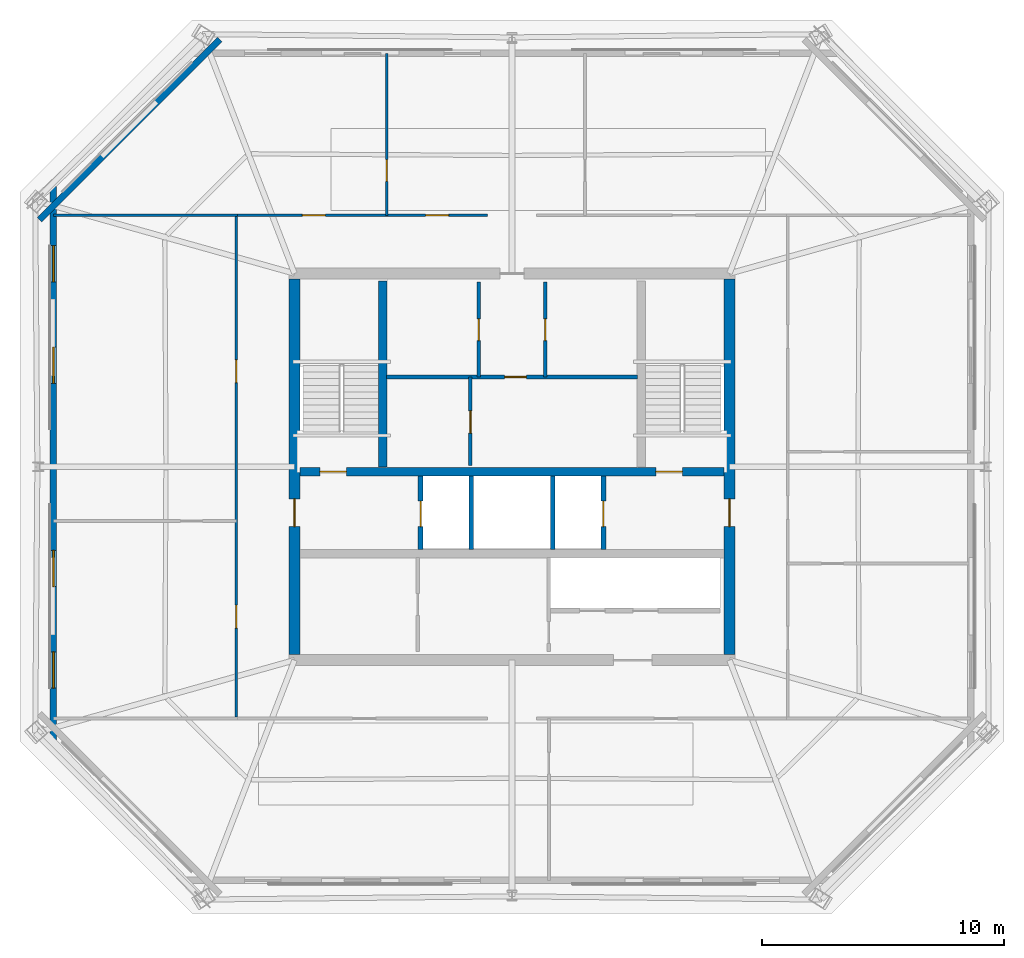
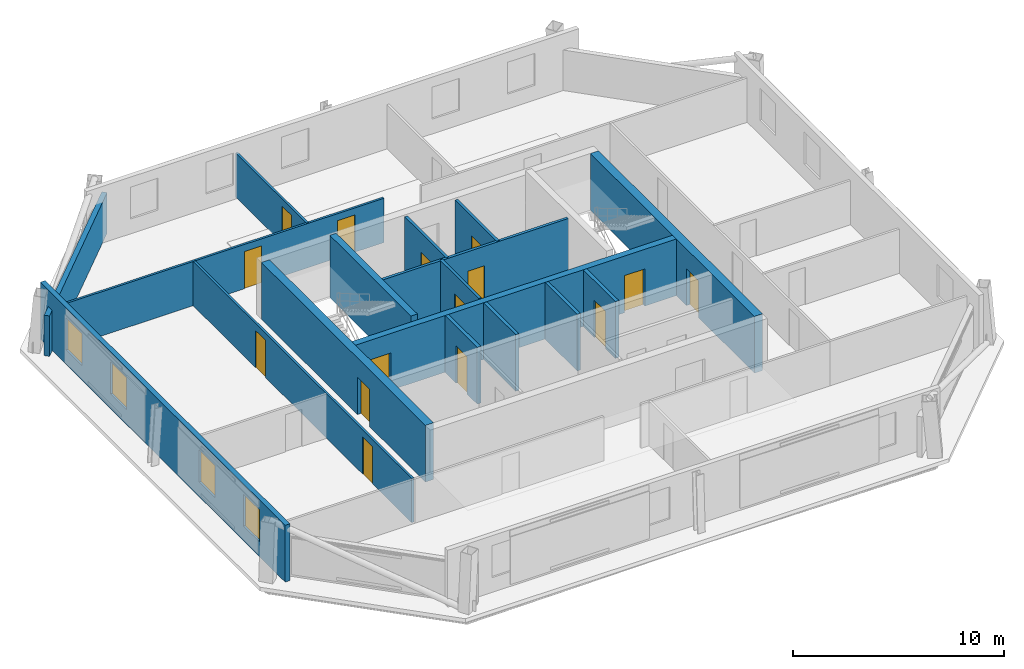
# One storey, part 3 of 7: 18 walls, 15 doors, 4 windows, 19 openings.
"""IFC4 building model written with IfcOpenShell, lengths in metres."""

from ifc_helpers import new_model, si_unit, direction, frame, frame_2d, origin, place, context, subcontext, project, spatial, rectangle, extrude, material, layer, layer_set, type_object, element, fill, save


model = new_model("IFC4")

# Units and contexts
model_context = context("Model", 3, precision=1e-05, world=origin(), true_north=direction((0.0, 1.0)))
body_context = subcontext(model_context, "Body", "Model", "MODEL_VIEW")
ifc_project = project(units=[si_unit("LENGTHUNIT", "METRE"), si_unit("AREAUNIT", "SQUARE_METRE"), si_unit("VOLUMEUNIT", "CUBIC_METRE"), si_unit("PLANEANGLEUNIT", "RADIAN"), si_unit("MASSUNIT", "GRAM", prefix="KILO")], contexts=[model_context])

# Site, building, storey
site_placement = place(None, origin())
site = spatial("IfcSite", under=ifc_project, at=site_placement, CompositionType="ELEMENT")
building_placement = place(site_placement, origin())
building = spatial("IfcBuilding", under=site, at=building_placement, Name="Caelvoria Tower", CompositionType="ELEMENT")
storey_placement = place(building_placement, frame((0.0, 0.0, 231.0)))
storey = spatial("IfcBuildingStorey", under=building, at=storey_placement, Name="L61", CompositionType="ELEMENT", Elevation=231.0)

# Wall, openings, doors
ifc_material_1 = material(Name="Concrete C50/60", Category="concrete")
ifc_layer_1 = layer(ifc_material_1, 0.35009765625, Name="Concrete C50/60")
ifc_layer_set_1 = layer_set([ifc_layer_1], Name="Core Internal Shear Wall 350 - Concrete C50/60")
wall_type_1 = type_object("IfcWallType", Name="Core Internal Shear Wall 350", PredefinedType="SHEAR", material=ifc_layer_set_1)
wall_1_placement = place(storey_placement, frame((37.22509765625, 31.800048828125, 0.0), z_axis=(0.0, 0.0, 1.0), x_axis=(1.0, 0.0, 0.0)))
wall_1 = element("IfcWall", 1, at=wall_1_placement, inside=storey, type_object=wall_type_1, Name="Core Shear Wall L61 M1", PredefinedType="SHEAR", context=body_context, shape_type="SweptSolid", body=[
    extrude(rectangle(XDim=17.5498046875, YDim=0.35009765625, at=frame_2d((8.77490234375, 0.0))), origin(), (0.0, 0.0, 1.0), 3.280029296875),
])
opening_1_placement = place(wall_1_placement, frame((0.824951171875, 0.0, 0.0)))
opening_1 = element("IfcOpeningElement", 2, at=opening_1_placement, cuts=wall_1, Name="Opening ID-01", PredefinedType="OPENING", context=body_context, shape_type="SweptSolid", body=[
    extrude(rectangle(XDim=1.10009765625, YDim=2.14990234375, at=frame_2d((0.550048828125, 1.074951171875))), frame((0.0, 0.18505859375, 0.0), z_axis=(0.0, -1.0, 0.0), x_axis=(1.0, 0.0, 0.0)), (0.0, 0.0, 1.0), 0.3701171875),
])
opening_2_placement = place(wall_1_placement, frame((14.72509765625, 0.0, 0.0)))
opening_2 = element("IfcOpeningElement", 3, at=opening_2_placement, cuts=wall_1, Name="Opening ID-01", PredefinedType="OPENING", context=body_context, shape_type="SweptSolid", body=[
    extrude(rectangle(XDim=1.10009765625, YDim=2.14990234375, at=frame_2d((0.550048828125, 1.074951171875))), frame((0.0, 0.18505859375, 0.0), z_axis=(0.0, -1.0, 0.0), x_axis=(1.0, 0.0, 0.0)), (0.0, 0.0, 1.0), 0.3701171875),
])
ifc_material_2 = material(Name="Painted Hollow Steel Fire Door", Category="steel")
door_type_1 = type_object("IfcDoorType", Name="Fire Door FD90S 1100x2150", OperationType="NOTDEFINED", PredefinedType="DOOR", material=ifc_material_2)
door_1_placement = place(opening_1_placement, origin())
door_1 = element("IfcDoor", 4, at=door_1_placement, inside=storey, type_object=door_type_1, Name="Core Door DR-L61-ST1", OperationType="SINGLE_SWING_LEFT", OverallHeight=2.14990234375, OverallWidth=1.10009765625, PredefinedType="DOOR", context=body_context, shape_type="SweptSolid", body=[
    extrude(rectangle(XDim=1.10009765625, YDim=2.14990234375, at=frame_2d((0.550048828125, 1.074951171875))), frame((0.0, 0.02490234375, 0.0), z_axis=(0.0, -1.0, 0.0), x_axis=(1.0, 0.0, 0.0)), (0.0, 0.0, 1.0), 0.050048828125),
])
fill(opening_1, door_1)
door_2_placement = place(opening_2_placement, origin())
door_2 = element("IfcDoor", 5, at=door_2_placement, inside=storey, type_object=door_type_1, Name="Core Door DR-L61-ST2", OperationType="SINGLE_SWING_RIGHT", OverallHeight=2.14990234375, OverallWidth=1.10009765625, PredefinedType="DOOR", context=body_context, shape_type="SweptSolid", body=[
    extrude(rectangle(XDim=1.10009765625, YDim=2.14990234375, at=frame_2d((0.550048828125, 1.074951171875))), frame((0.0, 0.02490234375, 0.0), z_axis=(0.0, -1.0, 0.0), x_axis=(1.0, 0.0, 0.0)), (0.0, 0.0, 1.0), 0.050048828125),
])
fill(opening_2, door_2)

# Wall
wall_2_placement = place(storey_placement, frame((40.64990234375, 32.0, 0.0), z_axis=(0.0, 0.0, 1.0), x_axis=(0.0, 1.0, 0.0)))
element("IfcWall", 6, at=wall_2_placement, inside=storey, type_object=wall_type_1, Name="Interior Partition IW-L61-ST1E", PredefinedType="SHEAR", context=body_context, shape_type="SweptSolid", body=[
    extrude(rectangle(XDim=7.699951171875, YDim=0.35009765625, at=frame_2d((3.85009765625, 0.0))), origin(), (0.0, 0.0, 1.0), 3.60009765625),
])

# Wall, opening, door
ifc_material_3 = material(Name="Double Gypsum Board on Steel Stud", Category="steel")
ifc_layer_2 = layer(ifc_material_3, 0.14990234375, Name="Double Gypsum Board on Steel Stud")
ifc_layer_set_2 = layer_set([ifc_layer_2], Name="Core Service Acoustic Partition Wall 150 - Double Gypsum Board on Steel Stud")
wall_type_2 = type_object("IfcWallType", Name="Core Service Acoustic Partition Wall 150", PredefinedType="PARTITIONING", material=ifc_layer_set_2)
wall_3_placement = place(storey_placement, frame((44.6201171875, 35.719970703125, 0.0), z_axis=(0.0, 0.0, 1.0), x_axis=(0.0, 1.0, 0.0)))
wall_3 = element("IfcWall", 7, at=wall_3_placement, inside=storey, type_object=wall_type_2, Name="Interior Partition IW-L61-C0L", PredefinedType="PARTITIONING", context=body_context, shape_type="SweptSolid", body=[
    extrude(rectangle(XDim=3.929931640625, YDim=0.14990234375, at=frame_2d((1.96484375, 0.0))), origin(), (0.0, 0.0, 1.0), 3.280029296875),
])
opening_3_placement = place(wall_3_placement, frame((1.5, 0.0, 0.0)))
opening_3 = element("IfcOpeningElement", 8, at=opening_3_placement, cuts=wall_3, Name="Opening ID-06", PredefinedType="OPENING", context=body_context, shape_type="SweptSolid", body=[
    extrude(rectangle(XDim=0.89990234375, YDim=2.14990234375, at=frame_2d((0.449951171875, 1.074951171875))), frame((0.0, 0.0849609375, 0.0), z_axis=(0.0, -1.0, 0.0), x_axis=(1.0, 0.0, 0.0)), (0.0, 0.0, 1.0), 0.169921875),
])
ifc_material_4 = material(Name="Engineered Andean Oak Veneer Door", Category="wood")
door_type_2 = type_object("IfcDoorType", Name="Interior Timber Door 900x2150", OperationType="NOTDEFINED", PredefinedType="DOOR", material=ifc_material_4)
door_3_placement = place(opening_3_placement, origin())
door_3 = element("IfcDoor", 9, at=door_3_placement, inside=storey, type_object=door_type_2, Name="Interior Door DR-L61-C01", OperationType="SINGLE_SWING_LEFT", OverallHeight=2.14990234375, OverallWidth=0.89990234375, PredefinedType="DOOR", context=body_context, shape_type="SweptSolid", body=[
    extrude(rectangle(XDim=0.89990234375, YDim=2.14990234375, at=frame_2d((0.449951171875, 1.074951171875))), frame((0.0, 0.02490234375, 0.0), z_axis=(0.0, -1.0, 0.0), x_axis=(1.0, 0.0, 0.0)), (0.0, 0.0, 1.0), 0.050048828125),
])
fill(opening_3, door_3)

wall_4_placement = place(storey_placement, frame((47.3798828125, 35.719970703125, 0.0), z_axis=(0.0, 0.0, 1.0), x_axis=(0.0, 1.0, 0.0)))
wall_4 = element("IfcWall", 10, at=wall_4_placement, inside=storey, type_object=wall_type_2, Name="Interior Partition IW-L61-C0R", PredefinedType="PARTITIONING", context=body_context, shape_type="SweptSolid", body=[
    extrude(rectangle(XDim=3.929931640625, YDim=0.14990234375, at=frame_2d((1.96484375, 0.0))), origin(), (0.0, 0.0, 1.0), 3.280029296875),
])
opening_4_placement = place(wall_4_placement, frame((1.5, 0.0, 0.0)))
opening_4 = element("IfcOpeningElement", 11, at=opening_4_placement, cuts=wall_4, Name="Opening ID-06", PredefinedType="OPENING", context=body_context, shape_type="SweptSolid", body=[
    extrude(rectangle(XDim=0.89990234375, YDim=2.14990234375, at=frame_2d((0.449951171875, 1.074951171875))), frame((0.0, 0.0849609375, 0.0), z_axis=(0.0, -1.0, 0.0), x_axis=(1.0, 0.0, 0.0)), (0.0, 0.0, 1.0), 0.169921875),
])
door_4_placement = place(opening_4_placement, origin())
door_4 = element("IfcDoor", 12, at=door_4_placement, inside=storey, type_object=door_type_2, Name="Interior Door DR-L61-C02", OperationType="SINGLE_SWING_RIGHT", OverallHeight=2.14990234375, OverallWidth=0.89990234375, PredefinedType="DOOR", context=body_context, shape_type="SweptSolid", body=[
    extrude(rectangle(XDim=0.89990234375, YDim=2.14990234375, at=frame_2d((0.449951171875, 1.074951171875))), frame((0.0, 0.02490234375, 0.0), z_axis=(0.0, -1.0, 0.0), x_axis=(1.0, 0.0, 0.0)), (0.0, 0.0, 1.0), 0.050048828125),
])
fill(opening_4, door_4)

wall_5_placement = place(storey_placement, frame((44.280029296875, 32.050048828125, 0.0), z_axis=(0.0, 0.0, 1.0), x_axis=(0.0, 1.0, 0.0)))
wall_5 = element("IfcWall", 13, at=wall_5_placement, inside=storey, type_object=wall_type_2, Name="Interior Partition IW-L61-C0M", PredefinedType="PARTITIONING", context=body_context, shape_type="SweptSolid", body=[
    extrude(rectangle(XDim=3.669921875, YDim=0.14990234375, at=frame_2d((1.8349609375, 0.0))), origin(), (0.0, 0.0, 1.0), 3.280029296875),
])
opening_5_placement = place(wall_5_placement, frame((1.35009765625, 0.0, 0.0)))
opening_5 = element("IfcOpeningElement", 14, at=opening_5_placement, cuts=wall_5, Name="Opening ID-07", PredefinedType="OPENING", context=body_context, shape_type="SweptSolid", body=[
    extrude(rectangle(XDim=0.919921875, YDim=2.14990234375, at=frame_2d((0.4599609375, 1.074951171875))), frame((0.0, 0.0849609375, 0.0), z_axis=(0.0, -1.0, 0.0), x_axis=(1.0, 0.0, 0.0)), (0.0, 0.0, 1.0), 0.169921875),
])
ifc_material_5 = material(Name="Engineered Andean Oak Accessible Door", Category="wood")
door_type_3 = type_object("IfcDoorType", Name="Accessible WC Door 950x2150", OperationType="NOTDEFINED", PredefinedType="DOOR", material=ifc_material_5)
door_5_placement = place(opening_5_placement, origin())
door_5 = element("IfcDoor", 15, at=door_5_placement, inside=storey, type_object=door_type_3, Name="Interior Door DR-L61-C05", OperationType="SINGLE_SWING_LEFT", OverallHeight=2.14990234375, OverallWidth=0.919921875, PredefinedType="DOOR", context=body_context, shape_type="SweptSolid", body=[
    extrude(rectangle(XDim=0.919921875, YDim=2.14990234375, at=frame_2d((0.4599609375, 1.074951171875))), frame((0.0, 0.02490234375, 0.0), z_axis=(0.0, -1.0, 0.0), x_axis=(1.0, 0.0, 0.0)), (0.0, 0.0, 1.0), 0.050048828125),
])
fill(opening_5, door_5)

wall_6_placement = place(storey_placement, frame((40.800048828125, 35.719970703125, 0.0), z_axis=(0.0, 0.0, 1.0), x_axis=(1.0, 0.0, 0.0)))
wall_6 = element("IfcWall", 16, at=wall_6_placement, inside=storey, type_object=wall_type_2, Name="Interior Partition IW-L61-C0H", PredefinedType="PARTITIONING", context=body_context, shape_type="SweptSolid", body=[
    extrude(rectangle(XDim=10.39990234375, YDim=0.14990234375, at=frame_2d((5.199951171875, 0.0))), origin(), (0.0, 0.0, 1.0), 3.280029296875),
])
opening_6_placement = place(wall_6_placement, frame((4.89990234375, 0.0, 0.0)))
opening_6 = element("IfcOpeningElement", 17, at=opening_6_placement, cuts=wall_6, Name="Opening ID-04", PredefinedType="OPENING", context=body_context, shape_type="SweptSolid", body=[
    extrude(rectangle(XDim=0.89990234375, YDim=2.14990234375, at=frame_2d((0.449951171875, 1.074951171875))), frame((0.0, 0.0849609375, 0.0), z_axis=(0.0, -1.0, 0.0), x_axis=(1.0, 0.0, 0.0)), (0.0, 0.0, 1.0), 0.169921875),
])
ifc_material_6 = material(Name="Acoustic Timber Fire Door", Category="wood")
door_type_4 = type_object("IfcDoorType", Name="Fire Door FD30S 900x2150", OperationType="NOTDEFINED", PredefinedType="DOOR", material=ifc_material_6)
door_6_placement = place(opening_6_placement, origin())
door_6 = element("IfcDoor", 18, at=door_6_placement, inside=storey, type_object=door_type_4, Name="Interior Door DR-L61-C04", OperationType="SINGLE_SWING_RIGHT", OverallHeight=2.14990234375, OverallWidth=0.89990234375, PredefinedType="DOOR", context=body_context, shape_type="SweptSolid", body=[
    extrude(rectangle(XDim=0.89990234375, YDim=2.14990234375, at=frame_2d((0.449951171875, 1.074951171875))), frame((0.0, 0.02490234375, 0.0), z_axis=(0.0, -1.0, 0.0), x_axis=(1.0, 0.0, 0.0)), (0.0, 0.0, 1.0), 0.050048828125),
])
fill(opening_6, door_6)

# Walls
ifc_material_7 = material(Name="Concrete Block and Fireboard Assembly", Category="concrete")
ifc_layer_3 = layer(ifc_material_7, 0.179931640625, Name="Concrete Block and Fireboard Assembly")
ifc_layer_set_3 = layer_set([ifc_layer_3], Name="Fire-Rated Hoistway Partition Wall 180 - Concrete Block and Fireboard Assembly")
wall_type_3 = type_object("IfcWallType", Name="Fire-Rated Hoistway Partition Wall 180", PredefinedType="PARTITIONING", material=ifc_layer_set_3)
for number, where, z_axis, x_axis, name in (
    (19, (44.320068359375, 28.580078125, 0.0), (0.0, 0.0, 1.0), (0.0, 1.0, 0.0), "Interior Partition IW-L61-SV1W"),
    (20, (47.679931640625, 28.580078125, 0.0), (0.0, 0.0, 1.0), (0.0, 1.0, 0.0), "Interior Partition IW-L61-SV1E"),
):
    element("IfcWall", number, at=place(storey_placement, frame(where, z_axis=z_axis, x_axis=x_axis)), inside=storey, type_object=wall_type_3, Name=name, PredefinedType="PARTITIONING", context=body_context, shape_type="SweptSolid", body=[
        extrude(rectangle(XDim=3.0400390625, YDim=0.179931640625, at=frame_2d((1.52001953125, 0.0))), origin(), (0.0, 0.0, 1.0), 3.280029296875),
    ])

# Wall, opening, door
ifc_layer_4 = layer(ifc_material_7, 0.199951171875, Name="Concrete Block and Fireboard Assembly")
ifc_layer_set_4 = layer_set([ifc_layer_4], Name="Fire-Rated Shaft and Core Partition Wall 200 - Concrete Block and Fireboard Assembly")
wall_type_4 = type_object("IfcWallType", Name="Fire-Rated Shaft and Core Partition Wall 200", PredefinedType="PARTITIONING", material=ifc_layer_set_4)
wall_7_placement = place(storey_placement, frame((42.219970703125, 28.580078125, 0.0), z_axis=(0.0, 0.0, 1.0), x_axis=(0.0, 1.0, 0.0)))
wall_7 = element("IfcWall", 21, at=wall_7_placement, inside=storey, type_object=wall_type_4, Name="Interior Partition IW-L61-LF1W", PredefinedType="PARTITIONING", context=body_context, shape_type="SweptSolid", body=[
    extrude(rectangle(XDim=3.0400390625, YDim=0.199951171875, at=frame_2d((1.52001953125, 0.0))), origin(), (0.0, 0.0, 1.0), 3.280029296875),
])
opening_7_placement = place(wall_7_placement, frame((0.949951171875, 0.0, 0.0)))
opening_7 = element("IfcOpeningElement", 22, at=opening_7_placement, cuts=wall_7, Name="Opening LD-01", PredefinedType="OPENING", context=body_context, shape_type="SweptSolid", body=[
    extrude(rectangle(XDim=1.050048828125, YDim=2.14990234375, at=frame_2d((0.52490234375, 1.074951171875))), frame((0.0, 0.10986328125, 0.0), z_axis=(0.0, -1.0, 0.0), x_axis=(1.0, 0.0, 0.0)), (0.0, 0.0, 1.0), 0.219970703125),
])
ifc_material_8 = material(Name="Brushed Bronze Stainless Sliding Landing Door", Category="aluminium")
door_type_5 = type_object("IfcDoorType", Name="Lift Landing Sliding Door 1100x2150", OperationType="NOTDEFINED", PredefinedType="DOOR", material=ifc_material_8)
door_7_placement = place(opening_7_placement, origin())
door_7 = element("IfcDoor", 23, at=door_7_placement, inside=storey, type_object=door_type_5, Name="Interior Door LD-L61-LF1", OperationType="SLIDING_TO_LEFT", OverallHeight=2.14990234375, OverallWidth=1.050048828125, PredefinedType="DOOR", context=body_context, shape_type="SweptSolid", body=[
    extrude(rectangle(XDim=1.050048828125, YDim=2.14990234375, at=frame_2d((0.52490234375, 1.074951171875))), frame((0.0, 0.02490234375, 0.0), z_axis=(0.0, -1.0, 0.0), x_axis=(1.0, 0.0, 0.0)), (0.0, 0.0, 1.0), 0.050048828125),
])
fill(opening_7, door_7)

wall_8_placement = place(storey_placement, frame((49.780029296875, 28.580078125, 0.0), z_axis=(0.0, 0.0, 1.0), x_axis=(0.0, 1.0, 0.0)))
wall_8 = element("IfcWall", 24, at=wall_8_placement, inside=storey, type_object=wall_type_4, Name="Interior Partition IW-L61-LF2E", PredefinedType="PARTITIONING", context=body_context, shape_type="SweptSolid", body=[
    extrude(rectangle(XDim=3.0400390625, YDim=0.199951171875, at=frame_2d((1.52001953125, 0.0))), origin(), (0.0, 0.0, 1.0), 3.280029296875),
])
opening_8_placement = place(wall_8_placement, frame((0.949951171875, 0.0, 0.0)))
opening_8 = element("IfcOpeningElement", 25, at=opening_8_placement, cuts=wall_8, Name="Opening LD-01", PredefinedType="OPENING", context=body_context, shape_type="SweptSolid", body=[
    extrude(rectangle(XDim=1.050048828125, YDim=2.14990234375, at=frame_2d((0.52490234375, 1.074951171875))), frame((0.0, 0.10986328125, 0.0), z_axis=(0.0, -1.0, 0.0), x_axis=(1.0, 0.0, 0.0)), (0.0, 0.0, 1.0), 0.219970703125),
])
door_8_placement = place(opening_8_placement, origin())
door_8 = element("IfcDoor", 26, at=door_8_placement, inside=storey, type_object=door_type_5, Name="Interior Door LD-L61-LF2", OperationType="SLIDING_TO_RIGHT", OverallHeight=2.14990234375, OverallWidth=1.050048828125, PredefinedType="DOOR", context=body_context, shape_type="SweptSolid", body=[
    extrude(rectangle(XDim=1.050048828125, YDim=2.14990234375, at=frame_2d((0.52490234375, 1.074951171875))), frame((0.0, 0.02490234375, 0.0), z_axis=(0.0, -1.0, 0.0), x_axis=(1.0, 0.0, 0.0)), (0.0, 0.0, 1.0), 0.050048828125),
])
fill(opening_8, door_8)

ifc_material_9 = material(Name="Acoustic Gypsum Board on Light-Gauge Stud", Category="gypsum")
ifc_layer_5 = layer(ifc_material_9, 0.1201171875, Name="Acoustic Gypsum Board on Light-Gauge Stud")
ifc_layer_set_5 = layer_set([ifc_layer_5], Name="Tenant Suite Acoustic Partition Wall 120 - Acoustic Gypsum Board on Light-Gauge Stud")
wall_type_5 = type_object("IfcWallType", Name="Tenant Suite Acoustic Partition Wall 120", PredefinedType="PARTITIONING", material=ifc_layer_set_5)
wall_9_placement = place(storey_placement, frame((40.819091796875, 42.409912109375, 0.0), z_axis=(0.0, 0.0, 1.0), x_axis=(0.0, 1.0, 0.0)))
wall_9 = element("IfcWall", 27, at=wall_9_placement, inside=storey, type_object=wall_type_5, Name="Interior Partition IW-L61-ND-00-0", PredefinedType="PARTITIONING", context=body_context, shape_type="SweptSolid", body=[
    extrude(rectangle(XDim=6.700927734375, YDim=0.1201171875, at=frame_2d((3.3505859375, 0.0))), origin(), (0.0, 0.0, 1.0), 2.56005859375),
])
opening_9_placement = place(wall_9_placement, frame((1.39990234375, 0.0, 0.0)))
opening_9 = element("IfcOpeningElement", 28, at=opening_9_placement, cuts=wall_9, Name="Opening ID-06", PredefinedType="OPENING", context=body_context, shape_type="SweptSolid", body=[
    extrude(rectangle(XDim=0.89990234375, YDim=2.14990234375, at=frame_2d((0.449951171875, 1.074951171875))), frame((0.0, 0.070068359375, 0.0), z_axis=(0.0, -1.0, 0.0), x_axis=(1.0, 0.0, 0.0)), (0.0, 0.0, 1.0), 0.14013671875),
])
door_9_placement = place(opening_9_placement, origin())
door_9 = element("IfcDoor", 29, at=door_9_placement, inside=storey, type_object=door_type_2, Name="Interior Door DR-L61-NM-00-0", OperationType="SINGLE_SWING_RIGHT", OverallHeight=2.14990234375, OverallWidth=0.89990234375, PredefinedType="DOOR", context=body_context, shape_type="SweptSolid", body=[
    extrude(rectangle(XDim=0.89990234375, YDim=2.14990234375, at=frame_2d((0.449951171875, 1.074951171875))), frame((0.0, 0.02490234375, 0.0), z_axis=(0.0, -1.0, 0.0), x_axis=(1.0, 0.0, 0.0)), (0.0, 0.0, 1.0), 0.050048828125),
])
fill(opening_9, door_9)

# Wall, openings, doors
wall_10_placement = place(storey_placement, frame((34.64990234375, 42.409912109375, 0.0), z_axis=(0.0, 0.0, 1.0), x_axis=(1.0, 0.0, 0.0)))
wall_10 = element("IfcWall", 30, at=wall_10_placement, inside=storey, type_object=wall_type_5, Name="Interior Partition IW-L61-NCW-0", PredefinedType="PARTITIONING", context=body_context, shape_type="SweptSolid", body=[
    extrude(rectangle(XDim=10.330078125, YDim=0.1201171875, at=frame_2d((5.1650390625, 0.0))), origin(), (0.0, 0.0, 1.0), 2.56005859375),
])
opening_10_placement = place(wall_10_placement, frame((2.679443359375, 0.0, 0.0)))
opening_10 = element("IfcOpeningElement", 31, at=opening_10_placement, cuts=wall_10, Name="Opening ID-05", PredefinedType="OPENING", context=body_context, shape_type="SweptSolid", body=[
    extrude(rectangle(XDim=0.949951171875, YDim=2.14990234375, at=frame_2d((0.47509765625, 1.074951171875))), frame((0.0, 0.070068359375, 0.0), z_axis=(0.0, -1.0, 0.0), x_axis=(1.0, 0.0, 0.0)), (0.0, 0.0, 1.0), 0.14013671875),
])
opening_11_placement = place(wall_10_placement, frame((7.7744140625, 0.0, 0.0)))
opening_11 = element("IfcOpeningElement", 32, at=opening_11_placement, cuts=wall_10, Name="Opening ID-05", PredefinedType="OPENING", context=body_context, shape_type="SweptSolid", body=[
    extrude(rectangle(XDim=0.949951171875, YDim=2.14990234375, at=frame_2d((0.47509765625, 1.074951171875))), frame((0.0, 0.070068359375, 0.0), z_axis=(0.0, -1.0, 0.0), x_axis=(1.0, 0.0, 0.0)), (0.0, 0.0, 1.0), 0.14013671875),
])
door_type_6 = type_object("IfcDoorType", Name="Interior Timber Door 950x2150", OperationType="NOTDEFINED", PredefinedType="DOOR", material=ifc_material_4)
door_10_placement = place(opening_10_placement, origin())
door_10 = element("IfcDoor", 33, at=door_10_placement, inside=storey, type_object=door_type_6, Name="Interior Door DR-L61-NC-00-0", OperationType="SINGLE_SWING_RIGHT", OverallHeight=2.14990234375, OverallWidth=0.949951171875, PredefinedType="DOOR", context=body_context, shape_type="SweptSolid", body=[
    extrude(rectangle(XDim=0.949951171875, YDim=2.14990234375, at=frame_2d((0.47509765625, 1.074951171875))), frame((0.0, 0.02490234375, 0.0), z_axis=(0.0, -1.0, 0.0), x_axis=(1.0, 0.0, 0.0)), (0.0, 0.0, 1.0), 0.050048828125),
])
fill(opening_10, door_10)
door_11_placement = place(opening_11_placement, origin())
door_11 = element("IfcDoor", 34, at=door_11_placement, inside=storey, type_object=door_type_6, Name="Interior Door DR-L61-NC-01-0", OperationType="SINGLE_SWING_LEFT", OverallHeight=2.14990234375, OverallWidth=0.949951171875, PredefinedType="DOOR", context=body_context, shape_type="SweptSolid", body=[
    extrude(rectangle(XDim=0.949951171875, YDim=2.14990234375, at=frame_2d((0.47509765625, 1.074951171875))), frame((0.0, 0.02490234375, 0.0), z_axis=(0.0, -1.0, 0.0), x_axis=(1.0, 0.0, 0.0)), (0.0, 0.0, 1.0), 0.050048828125),
])
fill(opening_11, door_11)

wall_11_placement = place(storey_placement, frame((34.590087890625, 21.64990234375, 0.0), z_axis=(0.0, 0.0, 1.0), x_axis=(0.0, 1.0, 0.0)))
wall_11 = element("IfcWall", 35, at=wall_11_placement, inside=storey, type_object=wall_type_5, Name="Interior Partition IW-L61-WCW-0", PredefinedType="PARTITIONING", context=body_context, shape_type="SweptSolid", body=[
    extrude(rectangle(XDim=20.7001953125, YDim=0.1201171875, at=frame_2d((10.35009765625, 0.0))), origin(), (0.0, 0.0, 1.0), 2.56005859375),
])
opening_12_placement = place(wall_11_placement, frame((3.681640625, 0.0, 0.0)))
opening_12 = element("IfcOpeningElement", 36, at=opening_12_placement, cuts=wall_11, Name="Opening ID-05", PredefinedType="OPENING", context=body_context, shape_type="SweptSolid", body=[
    extrude(rectangle(XDim=0.949951171875, YDim=2.14990234375, at=frame_2d((0.47509765625, 1.074951171875))), frame((0.0, 0.070068359375, 0.0), z_axis=(0.0, -1.0, 0.0), x_axis=(1.0, 0.0, 0.0)), (0.0, 0.0, 1.0), 0.14013671875),
])
opening_13_placement = place(wall_11_placement, frame((13.831787109375, 0.0, 0.0)))
opening_13 = element("IfcOpeningElement", 37, at=opening_13_placement, cuts=wall_11, Name="Opening ID-05", PredefinedType="OPENING", context=body_context, shape_type="SweptSolid", body=[
    extrude(rectangle(XDim=0.949951171875, YDim=2.14990234375, at=frame_2d((0.47509765625, 1.074951171875))), frame((0.0, 0.070068359375, 0.0), z_axis=(0.0, -1.0, 0.0), x_axis=(1.0, 0.0, 0.0)), (0.0, 0.0, 1.0), 0.14013671875),
])
door_12_placement = place(opening_12_placement, origin())
door_12 = element("IfcDoor", 38, at=door_12_placement, inside=storey, type_object=door_type_6, Name="Interior Door DR-L61-WC-00-0", OperationType="SINGLE_SWING_RIGHT", OverallHeight=2.14990234375, OverallWidth=0.949951171875, PredefinedType="DOOR", context=body_context, shape_type="SweptSolid", body=[
    extrude(rectangle(XDim=0.949951171875, YDim=2.14990234375, at=frame_2d((0.47509765625, 1.074951171875))), frame((0.0, 0.02490234375, 0.0), z_axis=(0.0, -1.0, 0.0), x_axis=(1.0, 0.0, 0.0)), (0.0, 0.0, 1.0), 0.050048828125),
])
fill(opening_12, door_12)
door_13_placement = place(opening_13_placement, origin())
door_13 = element("IfcDoor", 39, at=door_13_placement, inside=storey, type_object=door_type_6, Name="Interior Door DR-L61-WC-01-0", OperationType="SINGLE_SWING_LEFT", OverallHeight=2.14990234375, OverallWidth=0.949951171875, PredefinedType="DOOR", context=body_context, shape_type="SweptSolid", body=[
    extrude(rectangle(XDim=0.949951171875, YDim=2.14990234375, at=frame_2d((0.47509765625, 1.074951171875))), frame((0.0, 0.02490234375, 0.0), z_axis=(0.0, -1.0, 0.0), x_axis=(1.0, 0.0, 0.0)), (0.0, 0.0, 1.0), 0.050048828125),
])
fill(opening_13, door_13)

# Wall
wall_12_placement = place(storey_placement, frame((34.64990234375, 42.409912109375, 0.0), z_axis=(0.0, 0.0, 1.0), x_axis=(-1.0, 0.0, 0.0)))
element("IfcWall", 40, at=wall_12_placement, inside=storey, type_object=wall_type_5, Name="Interior Partition IW-L61-BNW-0", PredefinedType="PARTITIONING", context=body_context, shape_type="SweptSolid", body=[
    extrude(rectangle(XDim=7.62890625, YDim=0.1201171875, at=frame_2d((3.814453125, 0.0))), origin(), (0.0, 0.0, 1.0), 2.56005859375),
])

# Wall, opening, door
ifc_layer_6 = layer(ifc_material_1, 0.449951171875, Name="Concrete C50/60")
ifc_layer_set_6 = layer_set([ifc_layer_6], Name="Upper Core Shear Wall 450 - Concrete C50/60")
wall_type_6 = type_object("IfcWallType", Name="Upper Core Shear Wall 450", PredefinedType="SHEAR", material=ifc_layer_set_6)
wall_13_placement = place(storey_placement, frame((37.0, 24.22509765625, 0.0), z_axis=(0.0, 0.0, 1.0), x_axis=(0.0, 1.0, 0.0)))
wall_13 = element("IfcWall", 41, at=wall_13_placement, inside=storey, type_object=wall_type_6, Name="Core Shear Wall L61 W", PredefinedType="SHEAR", context=body_context, shape_type="SweptSolid", body=[
    extrude(rectangle(XDim=15.5498046875, YDim=0.449951171875, at=frame_2d((7.77490234375, 0.0))), origin(), (0.0, 0.0, 1.0), 3.280029296875),
])
opening_14_placement = place(wall_13_placement, frame((5.300048828125, 0.0, 0.0)))
opening_14 = element("IfcOpeningElement", 42, at=opening_14_placement, cuts=wall_13, Name="Opening ID-02", PredefinedType="OPENING", context=body_context, shape_type="SweptSolid", body=[
    extrude(rectangle(XDim=1.14990234375, YDim=2.14990234375, at=frame_2d((0.574951171875, 1.074951171875))), frame((0.0, 0.23486328125, 0.0), z_axis=(0.0, -1.0, 0.0), x_axis=(1.0, 0.0, 0.0)), (0.0, 0.0, 1.0), 0.469970703125),
])
door_type_7 = type_object("IfcDoorType", Name="Fire Door FD60S 1150x2150", OperationType="NOTDEFINED", PredefinedType="DOOR", material=ifc_material_2)
door_14_placement = place(opening_14_placement, origin())
door_14 = element("IfcDoor", 43, at=door_14_placement, inside=storey, type_object=door_type_7, Name="Core Door DR-L61-FFLW-OUT", OperationType="SINGLE_SWING_LEFT", OverallHeight=2.14990234375, OverallWidth=1.14990234375, PredefinedType="DOOR", context=body_context, shape_type="SweptSolid", body=[
    extrude(rectangle(XDim=1.14990234375, YDim=2.14990234375, at=frame_2d((0.574951171875, 1.074951171875))), frame((0.0, 0.02490234375, 0.0), z_axis=(0.0, -1.0, 0.0), x_axis=(1.0, 0.0, 0.0)), (0.0, 0.0, 1.0), 0.050048828125),
])
fill(opening_14, door_14)

wall_14_placement = place(storey_placement, frame((55.0, 24.22509765625, 0.0), z_axis=(0.0, 0.0, 1.0), x_axis=(0.0, 1.0, 0.0)))
wall_14 = element("IfcWall", 44, at=wall_14_placement, inside=storey, type_object=wall_type_6, Name="Core Shear Wall L61 E", PredefinedType="SHEAR", context=body_context, shape_type="SweptSolid", body=[
    extrude(rectangle(XDim=15.5498046875, YDim=0.449951171875, at=frame_2d((7.77490234375, 0.0))), origin(), (0.0, 0.0, 1.0), 3.280029296875),
])
opening_15_placement = place(wall_14_placement, frame((5.300048828125, 0.0, 0.0)))
opening_15 = element("IfcOpeningElement", 45, at=opening_15_placement, cuts=wall_14, Name="Opening ID-02", PredefinedType="OPENING", context=body_context, shape_type="SweptSolid", body=[
    extrude(rectangle(XDim=1.14990234375, YDim=2.14990234375, at=frame_2d((0.574951171875, 1.074951171875))), frame((0.0, 0.23486328125, 0.0), z_axis=(0.0, -1.0, 0.0), x_axis=(1.0, 0.0, 0.0)), (0.0, 0.0, 1.0), 0.469970703125),
])
door_15_placement = place(opening_15_placement, origin())
door_15 = element("IfcDoor", 46, at=door_15_placement, inside=storey, type_object=door_type_7, Name="Core Door DR-L61-FFLE-OUT", OperationType="SINGLE_SWING_RIGHT", OverallHeight=2.14990234375, OverallWidth=1.14990234375, PredefinedType="DOOR", context=body_context, shape_type="SweptSolid", body=[
    extrude(rectangle(XDim=1.14990234375, YDim=2.14990234375, at=frame_2d((0.574951171875, 1.074951171875))), frame((0.0, 0.02490234375, 0.0), z_axis=(0.0, -1.0, 0.0), x_axis=(1.0, 0.0, 0.0)), (0.0, 0.0, 1.0), 0.050048828125),
])
fill(opening_15, door_15)

# Wall
ifc_material_10 = material(Name="Precast Concrete C40/50 with Bronze Cladding", Category="concrete")
ifc_layer_7 = layer(ifc_material_10, 0.264892578125, Name="Precast Concrete C40/50 with Bronze Cladding")
ifc_layer_set_7 = layer_set([ifc_layer_7], Name="Upper Taper Precast Concrete C40/50 Bronze Facade Wall 265 - Precast Concrete C40/50 with Bronze Cladding")
wall_type_7 = type_object("IfcWallType", Name="Upper Taper Precast Concrete C40/50 Bronze Facade Wall 265", PredefinedType="STANDARD", material=ifc_layer_set_7)
wall_15_placement = place(storey_placement, frame((33.913818359375, 49.684814453125, 0.0), z_axis=(0.0, 0.0, 1.0), x_axis=(-0.707106781187, -0.707106781187, 0.0)))
element("IfcWall", 47, at=wall_15_placement, inside=storey, type_object=wall_type_7, Name="Exterior Facade Wall L61-E5", PredefinedType="STANDARD", context=body_context, shape_type="SweptSolid", body=[
    extrude(rectangle(XDim=10.5595703125, YDim=0.264892578125, at=frame_2d((5.27978515625, 0.0))), origin(), (0.0, 0.0, 1.0), 2.343017578125),
])

# Wall, openings, windows
wall_16_placement = place(storey_placement, frame((27.02099609375, 43.603515625, 0.0), z_axis=(0.0, 0.0, 1.0), x_axis=(0.0, -1.0, 0.0)))
wall_16 = element("IfcWall", 48, at=wall_16_placement, inside=storey, type_object=wall_type_7, Name="Exterior Facade Wall L61-E6", PredefinedType="STANDARD", context=body_context, shape_type="SweptSolid", body=[
    extrude(rectangle(XDim=23.20703125, YDim=0.264892578125, at=frame_2d((11.603515625, 0.0))), origin(), (0.0, 0.0, 1.0), 3.280029296875),
])
opening_16_placement = place(wall_16_placement, frame((2.45068359375, 0.0, 0.85009765625)))
opening_16 = element("IfcOpeningElement", 49, at=opening_16_placement, cuts=wall_16, Name="Opening WN-03", PredefinedType="OPENING", context=body_context, shape_type="SweptSolid", body=[
    extrude(rectangle(XDim=1.5, YDim=1.85009765625, at=frame_2d((0.75, 0.925048828125))), frame((0.0, 0.142333984375, 0.0), z_axis=(0.0, -1.0, 0.0), x_axis=(1.0, 0.0, 0.0)), (0.0, 0.0, 1.0), 0.284912109375),
])
opening_17_placement = place(wall_16_placement, frame((6.652099609375, 0.0, 0.85009765625)))
opening_17 = element("IfcOpeningElement", 50, at=opening_17_placement, cuts=wall_16, Name="Opening WN-03", PredefinedType="OPENING", context=body_context, shape_type="SweptSolid", body=[
    extrude(rectangle(XDim=1.5, YDim=1.85009765625, at=frame_2d((0.75, 0.925048828125))), frame((0.0, 0.142333984375, 0.0), z_axis=(0.0, -1.0, 0.0), x_axis=(1.0, 0.0, 0.0)), (0.0, 0.0, 1.0), 0.284912109375),
])
opening_18_placement = place(wall_16_placement, frame((15.054931640625, 0.0, 0.85009765625)))
opening_18 = element("IfcOpeningElement", 51, at=opening_18_placement, cuts=wall_16, Name="Opening WN-03", PredefinedType="OPENING", context=body_context, shape_type="SweptSolid", body=[
    extrude(rectangle(XDim=1.5, YDim=1.85009765625, at=frame_2d((0.75, 0.925048828125))), frame((0.0, 0.142333984375, 0.0), z_axis=(0.0, -1.0, 0.0), x_axis=(1.0, 0.0, 0.0)), (0.0, 0.0, 1.0), 0.284912109375),
])
opening_19_placement = place(wall_16_placement, frame((19.256591796875, 0.0, 0.85009765625)))
opening_19 = element("IfcOpeningElement", 52, at=opening_19_placement, cuts=wall_16, Name="Opening WN-03", PredefinedType="OPENING", context=body_context, shape_type="SweptSolid", body=[
    extrude(rectangle(XDim=1.5, YDim=1.85009765625, at=frame_2d((0.75, 0.925048828125))), frame((0.0, 0.142333984375, 0.0), z_axis=(0.0, -1.0, 0.0), x_axis=(1.0, 0.0, 0.0)), (0.0, 0.0, 1.0), 0.284912109375),
])
ifc_material_11 = material(Name="Low-E Tinted Glass in Bronze Aluminium Frame", Category="aluminium")
window_type = type_object("IfcWindowType", Name="Upper Taper Vision Window 1500x1850", PartitioningType="SINGLE_PANEL", PredefinedType="WINDOW", material=ifc_material_11)
window_1_placement = place(opening_16_placement, origin())
window_1 = element("IfcWindow", 53, at=window_1_placement, inside=storey, type_object=window_type, Name="Facade Window L61-E6-00", OverallHeight=1.85009765625, OverallWidth=1.5, PartitioningType="SINGLE_PANEL", PredefinedType="WINDOW", context=body_context, shape_type="SweptSolid", body=[
    extrude(rectangle(XDim=1.5, YDim=1.85009765625, at=frame_2d((0.75, 0.925048828125))), frame((0.0, 0.030029296875, 0.0), z_axis=(0.0, -1.0, 0.0), x_axis=(1.0, 0.0, 0.0)), (0.0, 0.0, 1.0), 0.06005859375),
])
fill(opening_16, window_1)
window_2_placement = place(opening_17_placement, origin())
window_2 = element("IfcWindow", 54, at=window_2_placement, inside=storey, type_object=window_type, Name="Facade Window L61-E6-01", OverallHeight=1.85009765625, OverallWidth=1.5, PartitioningType="SINGLE_PANEL", PredefinedType="WINDOW", context=body_context, shape_type="SweptSolid", body=[
    extrude(rectangle(XDim=1.5, YDim=1.85009765625, at=frame_2d((0.75, 0.925048828125))), frame((0.0, 0.030029296875, 0.0), z_axis=(0.0, -1.0, 0.0), x_axis=(1.0, 0.0, 0.0)), (0.0, 0.0, 1.0), 0.06005859375),
])
fill(opening_17, window_2)
window_3_placement = place(opening_18_placement, origin())
window_3 = element("IfcWindow", 55, at=window_3_placement, inside=storey, type_object=window_type, Name="Facade Window L61-E6-03", OverallHeight=1.85009765625, OverallWidth=1.5, PartitioningType="SINGLE_PANEL", PredefinedType="WINDOW", context=body_context, shape_type="SweptSolid", body=[
    extrude(rectangle(XDim=1.5, YDim=1.85009765625, at=frame_2d((0.75, 0.925048828125))), frame((0.0, 0.030029296875, 0.0), z_axis=(0.0, -1.0, 0.0), x_axis=(1.0, 0.0, 0.0)), (0.0, 0.0, 1.0), 0.06005859375),
])
fill(opening_18, window_3)
window_4_placement = place(opening_19_placement, origin())
window_4 = element("IfcWindow", 56, at=window_4_placement, inside=storey, type_object=window_type, Name="Facade Window L61-E6-04", OverallHeight=1.85009765625, OverallWidth=1.5, PartitioningType="SINGLE_PANEL", PredefinedType="WINDOW", context=body_context, shape_type="SweptSolid", body=[
    extrude(rectangle(XDim=1.5, YDim=1.85009765625, at=frame_2d((0.75, 0.925048828125))), frame((0.0, 0.030029296875, 0.0), z_axis=(0.0, -1.0, 0.0), x_axis=(1.0, 0.0, 0.0)), (0.0, 0.0, 1.0), 0.06005859375),
])
fill(opening_19, window_4)

save(model, "model.ifc")
